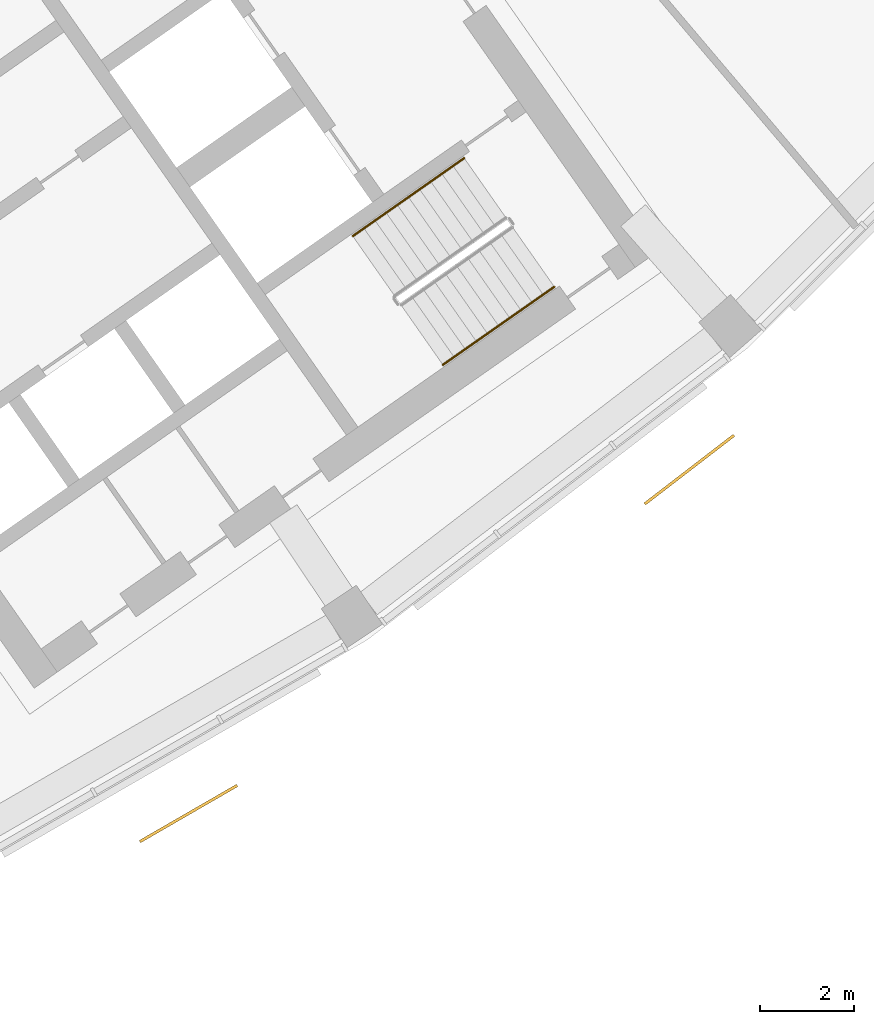
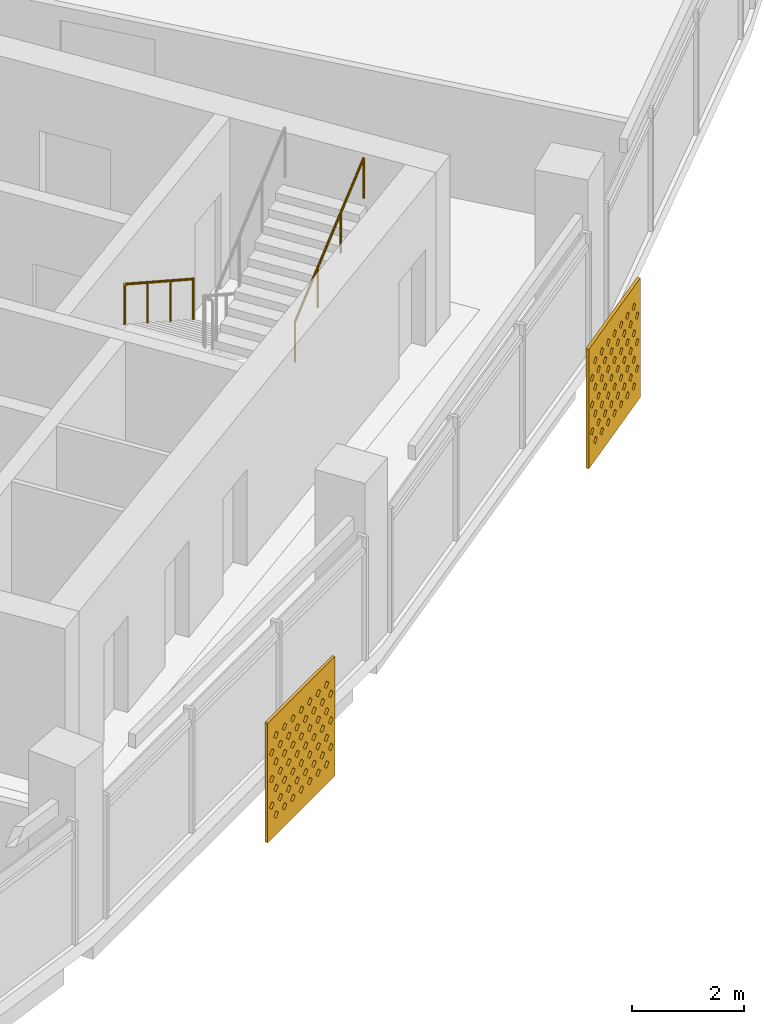
# One storey, part 28 of 29: 2 railings, 2 shading devices.
"""IFC4 building model written with IfcOpenShell, lengths in metres."""

from ifc_helpers import new_model, si_unit, direction, frame, origin, origin_2d, place, context, subcontext, project, spatial, polyline, circle, outline, extrude, material, material_profile, profile_set, type_object, element, save


model = new_model("IFC4")

# Units and contexts
model_context = context("Model", 3, precision=1e-05, world=origin(), true_north=direction((0.0, 1.0)))
body_context = subcontext(model_context, "Body", "Model", "MODEL_VIEW")
ifc_project = project(units=[si_unit("LENGTHUNIT", "METRE"), si_unit("AREAUNIT", "SQUARE_METRE"), si_unit("VOLUMEUNIT", "CUBIC_METRE"), si_unit("PLANEANGLEUNIT", "RADIAN"), si_unit("MASSUNIT", "GRAM", prefix="KILO")], contexts=[model_context])

# Site, building, storey
site_placement = place(None, origin())
site = spatial("IfcSite", under=ifc_project, at=site_placement, CompositionType="ELEMENT")
building_placement = place(site_placement, origin())
building = spatial("IfcBuilding", under=site, at=building_placement, Name="Qamariyya Broadcast Tower", CompositionType="ELEMENT")
storey_placement = place(building_placement, frame((0.0, 0.0, 261.89990234375)))
storey = spatial("IfcBuildingStorey", under=building, at=storey_placement, Name="L63", CompositionType="ELEMENT", Elevation=261.89990234375)

# Shading devices
ifc_material_1 = material(Name="Perforated glazed terracotta", Category="masonry")
ifc_material_profile = material_profile(ifc_material_1, outline(polyline([(-1.199951171875, -1.300048828125), (1.199951171875, -1.300048828125), (1.199951171875, 1.300048828125), (-1.199951171875, 1.300048828125), (-1.199951171875, -1.300048828125)]), holes=[polyline([(-0.81494140625, -0.86669921875), (-0.89990234375, -0.78173828125), (-0.985107421875, -0.86669921875), (-0.89990234375, -0.95166015625), (-0.81494140625, -0.86669921875)]), polyline([(-0.514892578125, -0.86669921875), (-0.60009765625, -0.78173828125), (-0.68505859375, -0.86669921875), (-0.60009765625, -0.95166015625), (-0.514892578125, -0.86669921875)]), polyline([(-0.215087890625, -0.86669921875), (-0.300048828125, -0.78173828125), (-0.385009765625, -0.86669921875), (-0.300048828125, -0.95166015625), (-0.215087890625, -0.86669921875)]), polyline([(0.0849609375, -0.86669921875), (0.0, -0.78173828125), (-0.0849609375, -0.86669921875), (0.0, -0.95166015625), (0.0849609375, -0.86669921875)]), polyline([(0.385009765625, -0.86669921875), (0.300048828125, -0.78173828125), (0.215087890625, -0.86669921875), (0.300048828125, -0.95166015625), (0.385009765625, -0.86669921875)]), polyline([(0.68505859375, -0.86669921875), (0.60009765625, -0.78173828125), (0.514892578125, -0.86669921875), (0.60009765625, -0.95166015625), (0.68505859375, -0.86669921875)]), polyline([(0.985107421875, -0.86669921875), (0.89990234375, -0.78173828125), (0.81494140625, -0.86669921875), (0.89990234375, -0.95166015625), (0.985107421875, -0.86669921875)]), polyline([(-0.965087890625, -0.577880859375), (-1.050048828125, -0.49267578125), (-1.135009765625, -0.577880859375), (-1.050048828125, -0.662841796875), (-0.965087890625, -0.577880859375)]), polyline([(-0.6650390625, -0.577880859375), (-0.75, -0.49267578125), (-0.8349609375, -0.577880859375), (-0.75, -0.662841796875), (-0.6650390625, -0.577880859375)]), polyline([(-0.364990234375, -0.577880859375), (-0.449951171875, -0.49267578125), (-0.534912109375, -0.577880859375), (-0.449951171875, -0.662841796875), (-0.364990234375, -0.577880859375)]), polyline([(-0.06494140625, -0.577880859375), (-0.14990234375, -0.49267578125), (-0.235107421875, -0.577880859375), (-0.14990234375, -0.662841796875), (-0.06494140625, -0.577880859375)]), polyline([(0.235107421875, -0.577880859375), (0.14990234375, -0.49267578125), (0.06494140625, -0.577880859375), (0.14990234375, -0.662841796875), (0.235107421875, -0.577880859375)]), polyline([(0.534912109375, -0.577880859375), (0.449951171875, -0.49267578125), (0.364990234375, -0.577880859375), (0.449951171875, -0.662841796875), (0.534912109375, -0.577880859375)]), polyline([(0.8349609375, -0.577880859375), (0.75, -0.49267578125), (0.6650390625, -0.577880859375), (0.75, -0.662841796875), (0.8349609375, -0.577880859375)]), polyline([(1.135009765625, -0.577880859375), (1.050048828125, -0.49267578125), (0.965087890625, -0.577880859375), (1.050048828125, -0.662841796875), (1.135009765625, -0.577880859375)]), polyline([(-0.81494140625, -0.288818359375), (-0.89990234375, -0.203857421875), (-0.985107421875, -0.288818359375), (-0.89990234375, -0.373779296875), (-0.81494140625, -0.288818359375)]), polyline([(-0.514892578125, -0.288818359375), (-0.60009765625, -0.203857421875), (-0.68505859375, -0.288818359375), (-0.60009765625, -0.373779296875), (-0.514892578125, -0.288818359375)]), polyline([(-0.215087890625, -0.288818359375), (-0.300048828125, -0.203857421875), (-0.385009765625, -0.288818359375), (-0.300048828125, -0.373779296875), (-0.215087890625, -0.288818359375)]), polyline([(0.0849609375, -0.288818359375), (0.0, -0.203857421875), (-0.0849609375, -0.288818359375), (0.0, -0.373779296875), (0.0849609375, -0.288818359375)]), polyline([(0.385009765625, -0.288818359375), (0.300048828125, -0.203857421875), (0.215087890625, -0.288818359375), (0.300048828125, -0.373779296875), (0.385009765625, -0.288818359375)]), polyline([(0.68505859375, -0.288818359375), (0.60009765625, -0.203857421875), (0.514892578125, -0.288818359375), (0.60009765625, -0.373779296875), (0.68505859375, -0.288818359375)]), polyline([(0.985107421875, -0.288818359375), (0.89990234375, -0.203857421875), (0.81494140625, -0.288818359375), (0.89990234375, -0.373779296875), (0.985107421875, -0.288818359375)]), polyline([(-0.965087890625, 0.0), (-1.050048828125, 0.0849609375), (-1.135009765625, 0.0), (-1.050048828125, -0.0849609375), (-0.965087890625, 0.0)]), polyline([(-0.6650390625, 0.0), (-0.75, 0.0849609375), (-0.8349609375, 0.0), (-0.75, -0.0849609375), (-0.6650390625, 0.0)]), polyline([(-0.364990234375, 0.0), (-0.449951171875, 0.0849609375), (-0.534912109375, 0.0), (-0.449951171875, -0.0849609375), (-0.364990234375, 0.0)]), polyline([(-0.06494140625, 0.0), (-0.14990234375, 0.0849609375), (-0.235107421875, 0.0), (-0.14990234375, -0.0849609375), (-0.06494140625, 0.0)]), polyline([(0.235107421875, 0.0), (0.14990234375, 0.0849609375), (0.06494140625, 0.0), (0.14990234375, -0.0849609375), (0.235107421875, 0.0)]), polyline([(0.534912109375, 0.0), (0.449951171875, 0.0849609375), (0.364990234375, 0.0), (0.449951171875, -0.0849609375), (0.534912109375, 0.0)]), polyline([(0.8349609375, 0.0), (0.75, 0.0849609375), (0.6650390625, 0.0), (0.75, -0.0849609375), (0.8349609375, 0.0)]), polyline([(1.135009765625, 0.0), (1.050048828125, 0.0849609375), (0.965087890625, 0.0), (1.050048828125, -0.0849609375), (1.135009765625, 0.0)]), polyline([(-0.81494140625, 0.288818359375), (-0.89990234375, 0.373779296875), (-0.985107421875, 0.288818359375), (-0.89990234375, 0.203857421875), (-0.81494140625, 0.288818359375)]), polyline([(-0.514892578125, 0.288818359375), (-0.60009765625, 0.373779296875), (-0.68505859375, 0.288818359375), (-0.60009765625, 0.203857421875), (-0.514892578125, 0.288818359375)]), polyline([(-0.215087890625, 0.288818359375), (-0.300048828125, 0.373779296875), (-0.385009765625, 0.288818359375), (-0.300048828125, 0.203857421875), (-0.215087890625, 0.288818359375)]), polyline([(0.0849609375, 0.288818359375), (0.0, 0.373779296875), (-0.0849609375, 0.288818359375), (0.0, 0.203857421875), (0.0849609375, 0.288818359375)]), polyline([(0.385009765625, 0.288818359375), (0.300048828125, 0.373779296875), (0.215087890625, 0.288818359375), (0.300048828125, 0.203857421875), (0.385009765625, 0.288818359375)]), polyline([(0.68505859375, 0.288818359375), (0.60009765625, 0.373779296875), (0.514892578125, 0.288818359375), (0.60009765625, 0.203857421875), (0.68505859375, 0.288818359375)]), polyline([(0.985107421875, 0.288818359375), (0.89990234375, 0.373779296875), (0.81494140625, 0.288818359375), (0.89990234375, 0.203857421875), (0.985107421875, 0.288818359375)]), polyline([(-0.965087890625, 0.577880859375), (-1.050048828125, 0.662841796875), (-1.135009765625, 0.577880859375), (-1.050048828125, 0.49267578125), (-0.965087890625, 0.577880859375)]), polyline([(-0.6650390625, 0.577880859375), (-0.75, 0.662841796875), (-0.8349609375, 0.577880859375), (-0.75, 0.49267578125), (-0.6650390625, 0.577880859375)]), polyline([(-0.364990234375, 0.577880859375), (-0.449951171875, 0.662841796875), (-0.534912109375, 0.577880859375), (-0.449951171875, 0.49267578125), (-0.364990234375, 0.577880859375)]), polyline([(-0.06494140625, 0.577880859375), (-0.14990234375, 0.662841796875), (-0.235107421875, 0.577880859375), (-0.14990234375, 0.49267578125), (-0.06494140625, 0.577880859375)]), polyline([(0.235107421875, 0.577880859375), (0.14990234375, 0.662841796875), (0.06494140625, 0.577880859375), (0.14990234375, 0.49267578125), (0.235107421875, 0.577880859375)]), polyline([(0.534912109375, 0.577880859375), (0.449951171875, 0.662841796875), (0.364990234375, 0.577880859375), (0.449951171875, 0.49267578125), (0.534912109375, 0.577880859375)]), polyline([(0.8349609375, 0.577880859375), (0.75, 0.662841796875), (0.6650390625, 0.577880859375), (0.75, 0.49267578125), (0.8349609375, 0.577880859375)]), polyline([(1.135009765625, 0.577880859375), (1.050048828125, 0.662841796875), (0.965087890625, 0.577880859375), (1.050048828125, 0.49267578125), (1.135009765625, 0.577880859375)]), polyline([(-0.81494140625, 0.86669921875), (-0.89990234375, 0.95166015625), (-0.985107421875, 0.86669921875), (-0.89990234375, 0.78173828125), (-0.81494140625, 0.86669921875)]), polyline([(-0.514892578125, 0.86669921875), (-0.60009765625, 0.95166015625), (-0.68505859375, 0.86669921875), (-0.60009765625, 0.78173828125), (-0.514892578125, 0.86669921875)]), polyline([(-0.215087890625, 0.86669921875), (-0.300048828125, 0.95166015625), (-0.385009765625, 0.86669921875), (-0.300048828125, 0.78173828125), (-0.215087890625, 0.86669921875)]), polyline([(0.0849609375, 0.86669921875), (0.0, 0.95166015625), (-0.0849609375, 0.86669921875), (0.0, 0.78173828125), (0.0849609375, 0.86669921875)]), polyline([(0.385009765625, 0.86669921875), (0.300048828125, 0.95166015625), (0.215087890625, 0.86669921875), (0.300048828125, 0.78173828125), (0.385009765625, 0.86669921875)]), polyline([(0.68505859375, 0.86669921875), (0.60009765625, 0.95166015625), (0.514892578125, 0.86669921875), (0.60009765625, 0.78173828125), (0.68505859375, 0.86669921875)]), polyline([(0.985107421875, 0.86669921875), (0.89990234375, 0.95166015625), (0.81494140625, 0.86669921875), (0.89990234375, 0.78173828125), (0.985107421875, 0.86669921875)])]))
ifc_profile_set = profile_set([ifc_material_profile], Name="Perforated glazed terracotta")
shading_device_type = type_object("IfcShadingDeviceType", Name="Perforated terracotta screen 2400 x 2600", PredefinedType="USERDEFINED", material=ifc_profile_set)
shading_device_1_placement = place(storey_placement, frame((39.69921875, -68.8232421875, 1.35009765625), z_axis=(0.500074377092, -0.865982457891, 0.0), x_axis=(0.865982457891, 0.500074377092, 0.0)))
element("IfcShadingDevice", 1, at=shading_device_1_placement, inside=storey, type_object=shading_device_type, Name="e-scr-L63-11-1", ObjectType="SCREEN", PredefinedType="USERDEFINED", context=body_context, shape_type="SweptSolid", body=[
    extrude(outline(polyline([(-1.199951171875, -1.300048828125), (1.199951171875, -1.300048828125), (1.199951171875, 1.300048828125), (-1.199951171875, 1.300048828125), (-1.199951171875, -1.300048828125)]), holes=[polyline([(-0.81494140625, -0.86669921875), (-0.89990234375, -0.78173828125), (-0.985107421875, -0.86669921875), (-0.89990234375, -0.95166015625), (-0.81494140625, -0.86669921875)]), polyline([(-0.514892578125, -0.86669921875), (-0.60009765625, -0.78173828125), (-0.68505859375, -0.86669921875), (-0.60009765625, -0.95166015625), (-0.514892578125, -0.86669921875)]), polyline([(-0.215087890625, -0.86669921875), (-0.300048828125, -0.78173828125), (-0.385009765625, -0.86669921875), (-0.300048828125, -0.95166015625), (-0.215087890625, -0.86669921875)]), polyline([(0.0849609375, -0.86669921875), (0.0, -0.78173828125), (-0.0849609375, -0.86669921875), (0.0, -0.95166015625), (0.0849609375, -0.86669921875)]), polyline([(0.385009765625, -0.86669921875), (0.300048828125, -0.78173828125), (0.215087890625, -0.86669921875), (0.300048828125, -0.95166015625), (0.385009765625, -0.86669921875)]), polyline([(0.68505859375, -0.86669921875), (0.60009765625, -0.78173828125), (0.514892578125, -0.86669921875), (0.60009765625, -0.95166015625), (0.68505859375, -0.86669921875)]), polyline([(0.985107421875, -0.86669921875), (0.89990234375, -0.78173828125), (0.81494140625, -0.86669921875), (0.89990234375, -0.95166015625), (0.985107421875, -0.86669921875)]), polyline([(-0.965087890625, -0.577880859375), (-1.050048828125, -0.49267578125), (-1.135009765625, -0.577880859375), (-1.050048828125, -0.662841796875), (-0.965087890625, -0.577880859375)]), polyline([(-0.6650390625, -0.577880859375), (-0.75, -0.49267578125), (-0.8349609375, -0.577880859375), (-0.75, -0.662841796875), (-0.6650390625, -0.577880859375)]), polyline([(-0.364990234375, -0.577880859375), (-0.449951171875, -0.49267578125), (-0.534912109375, -0.577880859375), (-0.449951171875, -0.662841796875), (-0.364990234375, -0.577880859375)]), polyline([(-0.06494140625, -0.577880859375), (-0.14990234375, -0.49267578125), (-0.235107421875, -0.577880859375), (-0.14990234375, -0.662841796875), (-0.06494140625, -0.577880859375)]), polyline([(0.235107421875, -0.577880859375), (0.14990234375, -0.49267578125), (0.06494140625, -0.577880859375), (0.14990234375, -0.662841796875), (0.235107421875, -0.577880859375)]), polyline([(0.534912109375, -0.577880859375), (0.449951171875, -0.49267578125), (0.364990234375, -0.577880859375), (0.449951171875, -0.662841796875), (0.534912109375, -0.577880859375)]), polyline([(0.8349609375, -0.577880859375), (0.75, -0.49267578125), (0.6650390625, -0.577880859375), (0.75, -0.662841796875), (0.8349609375, -0.577880859375)]), polyline([(1.135009765625, -0.577880859375), (1.050048828125, -0.49267578125), (0.965087890625, -0.577880859375), (1.050048828125, -0.662841796875), (1.135009765625, -0.577880859375)]), polyline([(-0.81494140625, -0.288818359375), (-0.89990234375, -0.203857421875), (-0.985107421875, -0.288818359375), (-0.89990234375, -0.373779296875), (-0.81494140625, -0.288818359375)]), polyline([(-0.514892578125, -0.288818359375), (-0.60009765625, -0.203857421875), (-0.68505859375, -0.288818359375), (-0.60009765625, -0.373779296875), (-0.514892578125, -0.288818359375)]), polyline([(-0.215087890625, -0.288818359375), (-0.300048828125, -0.203857421875), (-0.385009765625, -0.288818359375), (-0.300048828125, -0.373779296875), (-0.215087890625, -0.288818359375)]), polyline([(0.0849609375, -0.288818359375), (0.0, -0.203857421875), (-0.0849609375, -0.288818359375), (0.0, -0.373779296875), (0.0849609375, -0.288818359375)]), polyline([(0.385009765625, -0.288818359375), (0.300048828125, -0.203857421875), (0.215087890625, -0.288818359375), (0.300048828125, -0.373779296875), (0.385009765625, -0.288818359375)]), polyline([(0.68505859375, -0.288818359375), (0.60009765625, -0.203857421875), (0.514892578125, -0.288818359375), (0.60009765625, -0.373779296875), (0.68505859375, -0.288818359375)]), polyline([(0.985107421875, -0.288818359375), (0.89990234375, -0.203857421875), (0.81494140625, -0.288818359375), (0.89990234375, -0.373779296875), (0.985107421875, -0.288818359375)]), polyline([(-0.965087890625, 0.0), (-1.050048828125, 0.0849609375), (-1.135009765625, 0.0), (-1.050048828125, -0.0849609375), (-0.965087890625, 0.0)]), polyline([(-0.6650390625, 0.0), (-0.75, 0.0849609375), (-0.8349609375, 0.0), (-0.75, -0.0849609375), (-0.6650390625, 0.0)]), polyline([(-0.364990234375, 0.0), (-0.449951171875, 0.0849609375), (-0.534912109375, 0.0), (-0.449951171875, -0.0849609375), (-0.364990234375, 0.0)]), polyline([(-0.06494140625, 0.0), (-0.14990234375, 0.0849609375), (-0.235107421875, 0.0), (-0.14990234375, -0.0849609375), (-0.06494140625, 0.0)]), polyline([(0.235107421875, 0.0), (0.14990234375, 0.0849609375), (0.06494140625, 0.0), (0.14990234375, -0.0849609375), (0.235107421875, 0.0)]), polyline([(0.534912109375, 0.0), (0.449951171875, 0.0849609375), (0.364990234375, 0.0), (0.449951171875, -0.0849609375), (0.534912109375, 0.0)]), polyline([(0.8349609375, 0.0), (0.75, 0.0849609375), (0.6650390625, 0.0), (0.75, -0.0849609375), (0.8349609375, 0.0)]), polyline([(1.135009765625, 0.0), (1.050048828125, 0.0849609375), (0.965087890625, 0.0), (1.050048828125, -0.0849609375), (1.135009765625, 0.0)]), polyline([(-0.81494140625, 0.288818359375), (-0.89990234375, 0.373779296875), (-0.985107421875, 0.288818359375), (-0.89990234375, 0.203857421875), (-0.81494140625, 0.288818359375)]), polyline([(-0.514892578125, 0.288818359375), (-0.60009765625, 0.373779296875), (-0.68505859375, 0.288818359375), (-0.60009765625, 0.203857421875), (-0.514892578125, 0.288818359375)]), polyline([(-0.215087890625, 0.288818359375), (-0.300048828125, 0.373779296875), (-0.385009765625, 0.288818359375), (-0.300048828125, 0.203857421875), (-0.215087890625, 0.288818359375)]), polyline([(0.0849609375, 0.288818359375), (0.0, 0.373779296875), (-0.0849609375, 0.288818359375), (0.0, 0.203857421875), (0.0849609375, 0.288818359375)]), polyline([(0.385009765625, 0.288818359375), (0.300048828125, 0.373779296875), (0.215087890625, 0.288818359375), (0.300048828125, 0.203857421875), (0.385009765625, 0.288818359375)]), polyline([(0.68505859375, 0.288818359375), (0.60009765625, 0.373779296875), (0.514892578125, 0.288818359375), (0.60009765625, 0.203857421875), (0.68505859375, 0.288818359375)]), polyline([(0.985107421875, 0.288818359375), (0.89990234375, 0.373779296875), (0.81494140625, 0.288818359375), (0.89990234375, 0.203857421875), (0.985107421875, 0.288818359375)]), polyline([(-0.965087890625, 0.577880859375), (-1.050048828125, 0.662841796875), (-1.135009765625, 0.577880859375), (-1.050048828125, 0.49267578125), (-0.965087890625, 0.577880859375)]), polyline([(-0.6650390625, 0.577880859375), (-0.75, 0.662841796875), (-0.8349609375, 0.577880859375), (-0.75, 0.49267578125), (-0.6650390625, 0.577880859375)]), polyline([(-0.364990234375, 0.577880859375), (-0.449951171875, 0.662841796875), (-0.534912109375, 0.577880859375), (-0.449951171875, 0.49267578125), (-0.364990234375, 0.577880859375)]), polyline([(-0.06494140625, 0.577880859375), (-0.14990234375, 0.662841796875), (-0.235107421875, 0.577880859375), (-0.14990234375, 0.49267578125), (-0.06494140625, 0.577880859375)]), polyline([(0.235107421875, 0.577880859375), (0.14990234375, 0.662841796875), (0.06494140625, 0.577880859375), (0.14990234375, 0.49267578125), (0.235107421875, 0.577880859375)]), polyline([(0.534912109375, 0.577880859375), (0.449951171875, 0.662841796875), (0.364990234375, 0.577880859375), (0.449951171875, 0.49267578125), (0.534912109375, 0.577880859375)]), polyline([(0.8349609375, 0.577880859375), (0.75, 0.662841796875), (0.6650390625, 0.577880859375), (0.75, 0.49267578125), (0.8349609375, 0.577880859375)]), polyline([(1.135009765625, 0.577880859375), (1.050048828125, 0.662841796875), (0.965087890625, 0.577880859375), (1.050048828125, 0.49267578125), (1.135009765625, 0.577880859375)]), polyline([(-0.81494140625, 0.86669921875), (-0.89990234375, 0.95166015625), (-0.985107421875, 0.86669921875), (-0.89990234375, 0.78173828125), (-0.81494140625, 0.86669921875)]), polyline([(-0.514892578125, 0.86669921875), (-0.60009765625, 0.95166015625), (-0.68505859375, 0.86669921875), (-0.60009765625, 0.78173828125), (-0.514892578125, 0.86669921875)]), polyline([(-0.215087890625, 0.86669921875), (-0.300048828125, 0.95166015625), (-0.385009765625, 0.86669921875), (-0.300048828125, 0.78173828125), (-0.215087890625, 0.86669921875)]), polyline([(0.0849609375, 0.86669921875), (0.0, 0.95166015625), (-0.0849609375, 0.86669921875), (0.0, 0.78173828125), (0.0849609375, 0.86669921875)]), polyline([(0.385009765625, 0.86669921875), (0.300048828125, 0.95166015625), (0.215087890625, 0.86669921875), (0.300048828125, 0.78173828125), (0.385009765625, 0.86669921875)]), polyline([(0.68505859375, 0.86669921875), (0.60009765625, 0.95166015625), (0.514892578125, 0.86669921875), (0.60009765625, 0.78173828125), (0.68505859375, 0.86669921875)]), polyline([(0.985107421875, 0.86669921875), (0.89990234375, 0.95166015625), (0.81494140625, 0.86669921875), (0.89990234375, 0.78173828125), (0.985107421875, 0.86669921875)])]), origin(), (0.0, 0.0, 1.0), 0.06005859375),
])
shading_device_2_placement = place(storey_placement, frame((50.37548828125, -61.492919921875, 1.35009765625), z_axis=(0.60971076085, -0.792623989105, 0.0), x_axis=(0.792623989105, 0.60971076085, 0.0)))
element("IfcShadingDevice", 2, at=shading_device_2_placement, inside=storey, type_object=shading_device_type, Name="e-scr-L63-12-2", ObjectType="SCREEN", PredefinedType="USERDEFINED", context=body_context, shape_type="SweptSolid", body=[
    extrude(outline(polyline([(-1.199951171875, -1.300048828125), (1.199951171875, -1.300048828125), (1.199951171875, 1.300048828125), (-1.199951171875, 1.300048828125), (-1.199951171875, -1.300048828125)]), holes=[polyline([(-0.81494140625, -0.86669921875), (-0.89990234375, -0.78173828125), (-0.985107421875, -0.86669921875), (-0.89990234375, -0.95166015625), (-0.81494140625, -0.86669921875)]), polyline([(-0.514892578125, -0.86669921875), (-0.60009765625, -0.78173828125), (-0.68505859375, -0.86669921875), (-0.60009765625, -0.95166015625), (-0.514892578125, -0.86669921875)]), polyline([(-0.215087890625, -0.86669921875), (-0.300048828125, -0.78173828125), (-0.385009765625, -0.86669921875), (-0.300048828125, -0.95166015625), (-0.215087890625, -0.86669921875)]), polyline([(0.0849609375, -0.86669921875), (0.0, -0.78173828125), (-0.0849609375, -0.86669921875), (0.0, -0.95166015625), (0.0849609375, -0.86669921875)]), polyline([(0.385009765625, -0.86669921875), (0.300048828125, -0.78173828125), (0.215087890625, -0.86669921875), (0.300048828125, -0.95166015625), (0.385009765625, -0.86669921875)]), polyline([(0.68505859375, -0.86669921875), (0.60009765625, -0.78173828125), (0.514892578125, -0.86669921875), (0.60009765625, -0.95166015625), (0.68505859375, -0.86669921875)]), polyline([(0.985107421875, -0.86669921875), (0.89990234375, -0.78173828125), (0.81494140625, -0.86669921875), (0.89990234375, -0.95166015625), (0.985107421875, -0.86669921875)]), polyline([(-0.965087890625, -0.577880859375), (-1.050048828125, -0.49267578125), (-1.135009765625, -0.577880859375), (-1.050048828125, -0.662841796875), (-0.965087890625, -0.577880859375)]), polyline([(-0.6650390625, -0.577880859375), (-0.75, -0.49267578125), (-0.8349609375, -0.577880859375), (-0.75, -0.662841796875), (-0.6650390625, -0.577880859375)]), polyline([(-0.364990234375, -0.577880859375), (-0.449951171875, -0.49267578125), (-0.534912109375, -0.577880859375), (-0.449951171875, -0.662841796875), (-0.364990234375, -0.577880859375)]), polyline([(-0.06494140625, -0.577880859375), (-0.14990234375, -0.49267578125), (-0.235107421875, -0.577880859375), (-0.14990234375, -0.662841796875), (-0.06494140625, -0.577880859375)]), polyline([(0.235107421875, -0.577880859375), (0.14990234375, -0.49267578125), (0.06494140625, -0.577880859375), (0.14990234375, -0.662841796875), (0.235107421875, -0.577880859375)]), polyline([(0.534912109375, -0.577880859375), (0.449951171875, -0.49267578125), (0.364990234375, -0.577880859375), (0.449951171875, -0.662841796875), (0.534912109375, -0.577880859375)]), polyline([(0.8349609375, -0.577880859375), (0.75, -0.49267578125), (0.6650390625, -0.577880859375), (0.75, -0.662841796875), (0.8349609375, -0.577880859375)]), polyline([(1.135009765625, -0.577880859375), (1.050048828125, -0.49267578125), (0.965087890625, -0.577880859375), (1.050048828125, -0.662841796875), (1.135009765625, -0.577880859375)]), polyline([(-0.81494140625, -0.288818359375), (-0.89990234375, -0.203857421875), (-0.985107421875, -0.288818359375), (-0.89990234375, -0.373779296875), (-0.81494140625, -0.288818359375)]), polyline([(-0.514892578125, -0.288818359375), (-0.60009765625, -0.203857421875), (-0.68505859375, -0.288818359375), (-0.60009765625, -0.373779296875), (-0.514892578125, -0.288818359375)]), polyline([(-0.215087890625, -0.288818359375), (-0.300048828125, -0.203857421875), (-0.385009765625, -0.288818359375), (-0.300048828125, -0.373779296875), (-0.215087890625, -0.288818359375)]), polyline([(0.0849609375, -0.288818359375), (0.0, -0.203857421875), (-0.0849609375, -0.288818359375), (0.0, -0.373779296875), (0.0849609375, -0.288818359375)]), polyline([(0.385009765625, -0.288818359375), (0.300048828125, -0.203857421875), (0.215087890625, -0.288818359375), (0.300048828125, -0.373779296875), (0.385009765625, -0.288818359375)]), polyline([(0.68505859375, -0.288818359375), (0.60009765625, -0.203857421875), (0.514892578125, -0.288818359375), (0.60009765625, -0.373779296875), (0.68505859375, -0.288818359375)]), polyline([(0.985107421875, -0.288818359375), (0.89990234375, -0.203857421875), (0.81494140625, -0.288818359375), (0.89990234375, -0.373779296875), (0.985107421875, -0.288818359375)]), polyline([(-0.965087890625, 0.0), (-1.050048828125, 0.0849609375), (-1.135009765625, 0.0), (-1.050048828125, -0.0849609375), (-0.965087890625, 0.0)]), polyline([(-0.6650390625, 0.0), (-0.75, 0.0849609375), (-0.8349609375, 0.0), (-0.75, -0.0849609375), (-0.6650390625, 0.0)]), polyline([(-0.364990234375, 0.0), (-0.449951171875, 0.0849609375), (-0.534912109375, 0.0), (-0.449951171875, -0.0849609375), (-0.364990234375, 0.0)]), polyline([(-0.06494140625, 0.0), (-0.14990234375, 0.0849609375), (-0.235107421875, 0.0), (-0.14990234375, -0.0849609375), (-0.06494140625, 0.0)]), polyline([(0.235107421875, 0.0), (0.14990234375, 0.0849609375), (0.06494140625, 0.0), (0.14990234375, -0.0849609375), (0.235107421875, 0.0)]), polyline([(0.534912109375, 0.0), (0.449951171875, 0.0849609375), (0.364990234375, 0.0), (0.449951171875, -0.0849609375), (0.534912109375, 0.0)]), polyline([(0.8349609375, 0.0), (0.75, 0.0849609375), (0.6650390625, 0.0), (0.75, -0.0849609375), (0.8349609375, 0.0)]), polyline([(1.135009765625, 0.0), (1.050048828125, 0.0849609375), (0.965087890625, 0.0), (1.050048828125, -0.0849609375), (1.135009765625, 0.0)]), polyline([(-0.81494140625, 0.288818359375), (-0.89990234375, 0.373779296875), (-0.985107421875, 0.288818359375), (-0.89990234375, 0.203857421875), (-0.81494140625, 0.288818359375)]), polyline([(-0.514892578125, 0.288818359375), (-0.60009765625, 0.373779296875), (-0.68505859375, 0.288818359375), (-0.60009765625, 0.203857421875), (-0.514892578125, 0.288818359375)]), polyline([(-0.215087890625, 0.288818359375), (-0.300048828125, 0.373779296875), (-0.385009765625, 0.288818359375), (-0.300048828125, 0.203857421875), (-0.215087890625, 0.288818359375)]), polyline([(0.0849609375, 0.288818359375), (0.0, 0.373779296875), (-0.0849609375, 0.288818359375), (0.0, 0.203857421875), (0.0849609375, 0.288818359375)]), polyline([(0.385009765625, 0.288818359375), (0.300048828125, 0.373779296875), (0.215087890625, 0.288818359375), (0.300048828125, 0.203857421875), (0.385009765625, 0.288818359375)]), polyline([(0.68505859375, 0.288818359375), (0.60009765625, 0.373779296875), (0.514892578125, 0.288818359375), (0.60009765625, 0.203857421875), (0.68505859375, 0.288818359375)]), polyline([(0.985107421875, 0.288818359375), (0.89990234375, 0.373779296875), (0.81494140625, 0.288818359375), (0.89990234375, 0.203857421875), (0.985107421875, 0.288818359375)]), polyline([(-0.965087890625, 0.577880859375), (-1.050048828125, 0.662841796875), (-1.135009765625, 0.577880859375), (-1.050048828125, 0.49267578125), (-0.965087890625, 0.577880859375)]), polyline([(-0.6650390625, 0.577880859375), (-0.75, 0.662841796875), (-0.8349609375, 0.577880859375), (-0.75, 0.49267578125), (-0.6650390625, 0.577880859375)]), polyline([(-0.364990234375, 0.577880859375), (-0.449951171875, 0.662841796875), (-0.534912109375, 0.577880859375), (-0.449951171875, 0.49267578125), (-0.364990234375, 0.577880859375)]), polyline([(-0.06494140625, 0.577880859375), (-0.14990234375, 0.662841796875), (-0.235107421875, 0.577880859375), (-0.14990234375, 0.49267578125), (-0.06494140625, 0.577880859375)]), polyline([(0.235107421875, 0.577880859375), (0.14990234375, 0.662841796875), (0.06494140625, 0.577880859375), (0.14990234375, 0.49267578125), (0.235107421875, 0.577880859375)]), polyline([(0.534912109375, 0.577880859375), (0.449951171875, 0.662841796875), (0.364990234375, 0.577880859375), (0.449951171875, 0.49267578125), (0.534912109375, 0.577880859375)]), polyline([(0.8349609375, 0.577880859375), (0.75, 0.662841796875), (0.6650390625, 0.577880859375), (0.75, 0.49267578125), (0.8349609375, 0.577880859375)]), polyline([(1.135009765625, 0.577880859375), (1.050048828125, 0.662841796875), (0.965087890625, 0.577880859375), (1.050048828125, 0.49267578125), (1.135009765625, 0.577880859375)]), polyline([(-0.81494140625, 0.86669921875), (-0.89990234375, 0.95166015625), (-0.985107421875, 0.86669921875), (-0.89990234375, 0.78173828125), (-0.81494140625, 0.86669921875)]), polyline([(-0.514892578125, 0.86669921875), (-0.60009765625, 0.95166015625), (-0.68505859375, 0.86669921875), (-0.60009765625, 0.78173828125), (-0.514892578125, 0.86669921875)]), polyline([(-0.215087890625, 0.86669921875), (-0.300048828125, 0.95166015625), (-0.385009765625, 0.86669921875), (-0.300048828125, 0.78173828125), (-0.215087890625, 0.86669921875)]), polyline([(0.0849609375, 0.86669921875), (0.0, 0.95166015625), (-0.0849609375, 0.86669921875), (0.0, 0.78173828125), (0.0849609375, 0.86669921875)]), polyline([(0.385009765625, 0.86669921875), (0.300048828125, 0.95166015625), (0.215087890625, 0.86669921875), (0.300048828125, 0.78173828125), (0.385009765625, 0.86669921875)]), polyline([(0.68505859375, 0.86669921875), (0.60009765625, 0.95166015625), (0.514892578125, 0.86669921875), (0.60009765625, 0.78173828125), (0.68505859375, 0.86669921875)]), polyline([(0.985107421875, 0.86669921875), (0.89990234375, 0.95166015625), (0.81494140625, 0.86669921875), (0.89990234375, 0.78173828125), (0.985107421875, 0.86669921875)])]), origin(), (0.0, 0.0, 1.0), 0.06005859375),
])

# Railings
ifc_material_2 = material(Name="Stainless steel", Category="steel")
railing_type = type_object("IfcRailingType", Name="Stair handrail", PredefinedType="HANDRAIL", material=ifc_material_2)
railing_1_placement = place(storey_placement, frame((45.591796875, -54.873291015625, 0.1728515625)))
element("IfcRailing", 3, at=railing_1_placement, inside=storey, type_object=railing_type, Name="L63 ST-E1 stair handrail 1", PredefinedType="HANDRAIL", context=body_context, shape_type="SweptSolid", body=[
    extrude(circle(Radius=0.02392578125, at=origin_2d()), frame((0.0, 0.0, 0.8759765625), z_axis=(-0.703770094002, -0.492783725636, 0.511734163933), x_axis=(0.573575343427, -0.819152809562, 0.0)), (0.0, 0.0, 1.0), 3.37548828125),
    extrude(circle(Radius=0.02099609375, at=origin_2d()), origin(), (0.0, 0.0, 1.0), 0.851806640625),
    extrude(circle(Radius=0.02099609375, at=origin_2d()), frame((-0.791748046875, -0.554443359375, 0.57568359375)), (0.0, 0.0, 1.0), 0.851806640625),
    extrude(circle(Radius=0.02099609375, at=origin_2d()), frame((-1.583740234375, -1.10888671875, 1.151611328125)), (0.0, 0.0, 1.0), 0.851806640625),
    extrude(circle(Radius=0.02099609375, at=origin_2d()), frame((-2.37548828125, -1.663330078125, 1.727294921875)), (0.0, 0.0, 1.0), 0.851806640625),
])
railing_2_placement = place(storey_placement, frame((45.137939453125, -59.28076171875, 2.07275390625)))
element("IfcRailing", 4, at=railing_2_placement, inside=storey, type_object=railing_type, Name="L63 ST-E1 stair handrail 2", PredefinedType="HANDRAIL", context=body_context, shape_type="SweptSolid", body=[
    extrude(circle(Radius=0.02392578125, at=origin_2d()), frame((0.0, 0.0, 0.8759765625), z_axis=(0.703770094002, 0.492783725636, 0.511734163933), x_axis=(-0.573575343427, 0.819152809562, 0.0)), (0.0, 0.0, 1.0), 3.37548828125),
    extrude(circle(Radius=0.02099609375, at=origin_2d()), origin(), (0.0, 0.0, 1.0), 0.851806640625),
    extrude(circle(Radius=0.02099609375, at=origin_2d()), frame((0.791748046875, 0.554443359375, 0.57568359375)), (0.0, 0.0, 1.0), 0.851806640625),
    extrude(circle(Radius=0.02099609375, at=origin_2d()), frame((1.583740234375, 1.10888671875, 1.151611328125)), (0.0, 0.0, 1.0), 0.851806640625),
    extrude(circle(Radius=0.02099609375, at=origin_2d()), frame((2.37548828125, 1.663330078125, 1.727294921875)), (0.0, 0.0, 1.0), 0.851806640625),
])

save(model, "model.ifc")
